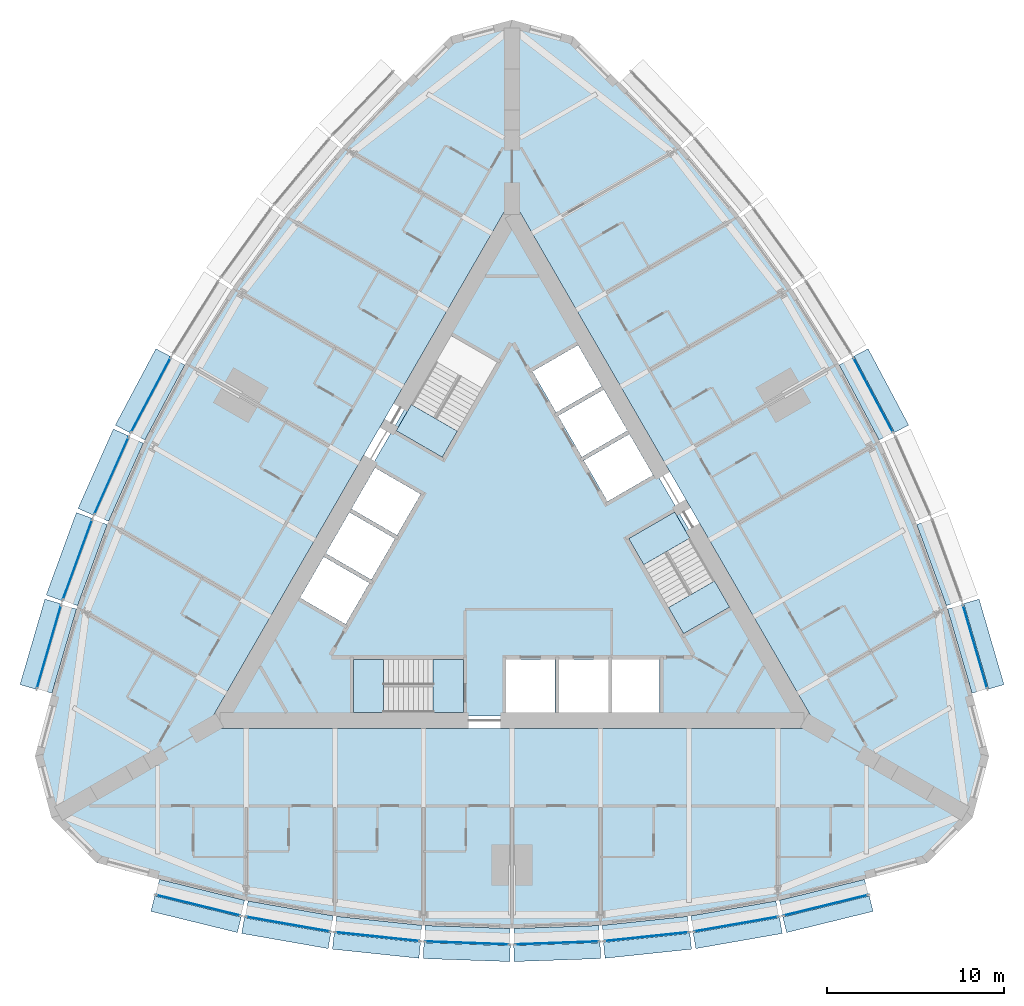
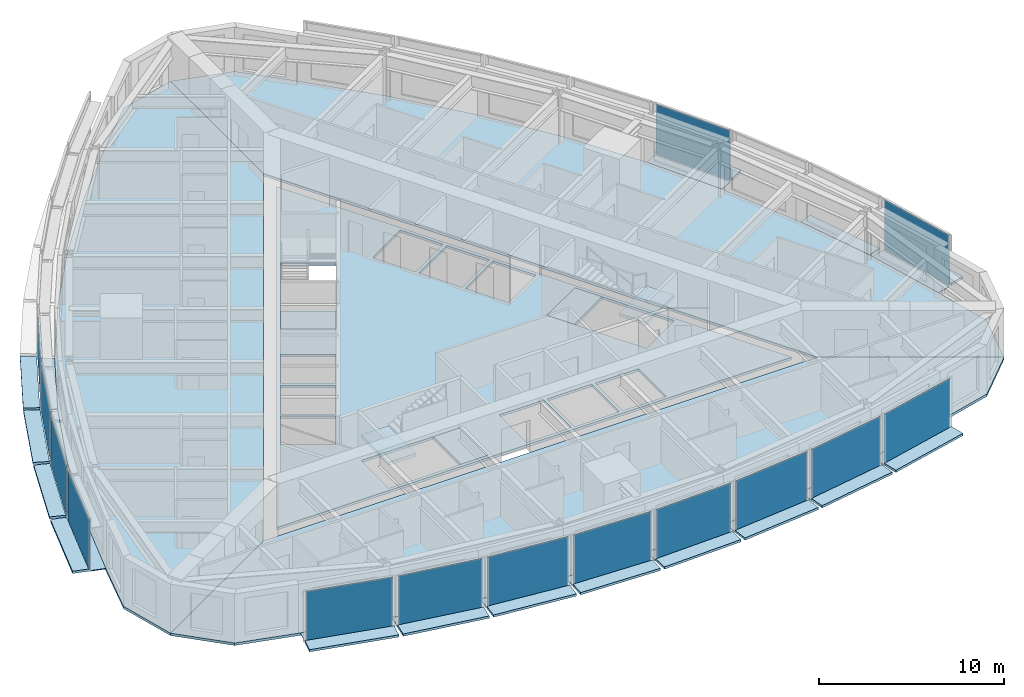
# One storey, part 6 of 14: 43 plates, 9 slabs, 17 elements without a shape of their own.
"""IFC4 building model written with IfcOpenShell, lengths in metres."""

from ifc_helpers import new_model, si_unit, direction, frame, origin, origin_2d, place, context, subcontext, project, spatial, polyline, rectangle, outline, extrude, material, layer, layer_set, type_object, element, aggregate, save


model = new_model("IFC4")

# Units and contexts
model_context = context("Model", 3, precision=1e-05, world=origin(), true_north=direction((0.0, 1.0)))
body_context = subcontext(model_context, "Body", "Model", "MODEL_VIEW")
ifc_project = project(units=[si_unit("LENGTHUNIT", "METRE"), si_unit("AREAUNIT", "SQUARE_METRE"), si_unit("VOLUMEUNIT", "CUBIC_METRE"), si_unit("PLANEANGLEUNIT", "RADIAN"), si_unit("MASSUNIT", "GRAM", prefix="KILO")], contexts=[model_context])

# Site, building, storey
site_placement = place(None, origin())
site = spatial("IfcSite", under=ifc_project, at=site_placement, CompositionType="ELEMENT")
building_placement = place(site_placement, origin())
building = spatial("IfcBuilding", under=site, at=building_placement, Name="Trikona Tower", CompositionType="ELEMENT")
storey_placement = place(building_placement, frame((0.0, 0.0, 121.5)))
storey = spatial("IfcBuildingStorey", under=building, at=storey_placement, Name="L31", CompositionType="ELEMENT", Elevation=121.5)

# Plates
ifc_material_1 = material(Name="Aluminium bar grating", Category="aluminium")
ifc_layer_1 = layer(ifc_material_1, 0.050048828125)
ifc_layer_set_1 = layer_set([ifc_layer_1], Name="Cavity catwalk grating")
plate_type_1 = type_object("IfcPlateType", Name="Cavity catwalk grating", PredefinedType="USERDEFINED", material=ifc_layer_set_1)
plate_1_placement = place(storey_placement, frame((-17.598876953125, -19.49072265625, -0.0498046875), z_axis=(0.0, 0.0, 1.0), x_axis=(0.971274411564, -0.237962218516, 0.0)))
element("IfcPlate", 1, at=plate_1_placement, inside=storey, type_object=plate_type_1, Name="Cavity catwalk L31-00", ObjectType="CATWALK GRATING", PredefinedType="USERDEFINED", context=body_context, shape_type="SweptSolid", body=[
    extrude(rectangle(XDim=4.947998046875, YDim=0.830078125, at=origin_2d()), origin(), (0.0, 0.0, 1.0), 0.050048828125),
])
plate_2_placement = place(storey_placement, frame((-12.571533203125, -20.54638671875, -0.0498046875), z_axis=(0.0, 0.0, 1.0), x_axis=(0.985030604067, -0.172379549401, 0.0)))
element("IfcPlate", 2, at=plate_2_placement, inside=storey, type_object=plate_type_1, Name="Cavity catwalk L31-01", ObjectType="CATWALK GRATING", PredefinedType="USERDEFINED", context=body_context, shape_type="SweptSolid", body=[
    extrude(rectangle(XDim=4.8759765625, YDim=0.830078125, at=origin_2d()), origin(), (0.0, 0.0, 1.0), 0.050048828125),
])
plate_3_placement = place(storey_placement, frame((-7.543212890625, -21.25048828125, -0.0498046875), z_axis=(0.0, 0.0, 1.0), x_axis=(0.994532653854, -0.104426052392, 0.0)))
element("IfcPlate", 3, at=plate_3_placement, inside=storey, type_object=plate_type_1, Name="Cavity catwalk L31-02", ObjectType="CATWALK GRATING", PredefinedType="USERDEFINED", context=body_context, shape_type="SweptSolid", body=[
    extrude(rectangle(XDim=4.827392578125, YDim=0.830078125, at=origin_2d()), origin(), (0.0, 0.0, 1.0), 0.050048828125),
])
for number, where, z_axis, x_axis, name in (
    (4, (-2.514404296875, -21.602294921875, -0.0498046875), (0.0, 0.0, 1.0), (0.999388082937, -0.034977988567, 0.0), "Cavity catwalk L31-03"),
    (5, (2.514404296875, -21.602294921875, -0.0498046875), (0.0, 0.0, 1.0), (0.999388082937, 0.034977988567, 0.0), "Cavity catwalk L31-04"),
):
    element("IfcPlate", number, at=place(storey_placement, frame(where, z_axis=z_axis, x_axis=x_axis)), inside=storey, type_object=plate_type_1, Name=name, ObjectType="CATWALK GRATING", PredefinedType="USERDEFINED", context=body_context, shape_type="SweptSolid", body=[
        extrude(rectangle(XDim=4.802978515625, YDim=0.830078125, at=origin_2d()), origin(), (0.0, 0.0, 1.0), 0.050048828125),
    ])
plate_4_placement = place(storey_placement, frame((7.543212890625, -21.25048828125, -0.0498046875), z_axis=(0.0, 0.0, 1.0), x_axis=(0.994532653854, 0.104426052392, 0.0)))
element("IfcPlate", 6, at=plate_4_placement, inside=storey, type_object=plate_type_1, Name="Cavity catwalk L31-05", ObjectType="CATWALK GRATING", PredefinedType="USERDEFINED", context=body_context, shape_type="SweptSolid", body=[
    extrude(rectangle(XDim=4.827392578125, YDim=0.830078125, at=origin_2d()), origin(), (0.0, 0.0, 1.0), 0.050048828125),
])
plate_5_placement = place(storey_placement, frame((12.571533203125, -20.54638671875, -0.0498046875), z_axis=(0.0, 0.0, 1.0), x_axis=(0.985030604067, 0.172379549401, 0.0)))
element("IfcPlate", 7, at=plate_5_placement, inside=storey, type_object=plate_type_1, Name="Cavity catwalk L31-06", ObjectType="CATWALK GRATING", PredefinedType="USERDEFINED", context=body_context, shape_type="SweptSolid", body=[
    extrude(rectangle(XDim=4.8759765625, YDim=0.830078125, at=origin_2d()), origin(), (0.0, 0.0, 1.0), 0.050048828125),
])
plate_6_placement = place(storey_placement, frame((17.598876953125, -19.49072265625, -0.0498046875), z_axis=(0.0, 0.0, 1.0), x_axis=(0.971274411564, 0.237962218516, 0.0)))
element("IfcPlate", 8, at=plate_6_placement, inside=storey, type_object=plate_type_1, Name="Cavity catwalk L31-07", ObjectType="CATWALK GRATING", PredefinedType="USERDEFINED", context=body_context, shape_type="SweptSolid", body=[
    extrude(rectangle(XDim=4.947998046875, YDim=0.830078125, at=origin_2d()), origin(), (0.0, 0.0, 1.0), 0.050048828125),
])
plate_7_placement = place(storey_placement, frame((25.678955078125, -5.49560546875, -0.0498046875), z_axis=(0.0, 0.0, 1.0), x_axis=(-0.279554203664, 0.960129911634, 0.0)))
element("IfcPlate", 9, at=plate_7_placement, inside=storey, type_object=plate_type_1, Name="Cavity catwalk L31-12", ObjectType="CATWALK GRATING", PredefinedType="USERDEFINED", context=body_context, shape_type="SweptSolid", body=[
    extrude(rectangle(XDim=4.94775390625, YDim=0.830078125, at=origin_2d()), origin(), (0.0, 0.0, 1.0), 0.050048828125),
])
plate_8_placement = place(storey_placement, frame((24.07958984375, -0.614013671875, -0.0498046875), z_axis=(0.0, 0.0, 1.0), x_axis=(-0.343220397324, 0.939254895575, 0.0)))
element("IfcPlate", 10, at=plate_8_placement, inside=storey, type_object=plate_type_1, Name="Cavity catwalk L31-13", ObjectType="CATWALK GRATING", PredefinedType="USERDEFINED", context=body_context, shape_type="SweptSolid", body=[
    extrude(rectangle(XDim=4.8759765625, YDim=0.830078125, at=origin_2d()), origin(), (0.0, 0.0, 1.0), 0.050048828125),
])
for number, where, z_axis, x_axis, name in (
    (11, (19.965576171875, 8.62353515625, -0.0498046875), (0.0, 0.0, 1.0), (-0.469397591494, 0.882986920118, 0.0), "Cavity catwalk L31-15"),
    (12, (-19.965576171875, 8.62353515625, -0.0498046875), (0.0, 0.0, 1.0), (-0.469397591494, -0.882986920118, 0.0), "Cavity catwalk L31-28"),
):
    element("IfcPlate", number, at=place(storey_placement, frame(where, z_axis=z_axis, x_axis=x_axis)), inside=storey, type_object=plate_type_1, Name=name, ObjectType="CATWALK GRATING", PredefinedType="USERDEFINED", context=body_context, shape_type="SweptSolid", body=[
        extrude(rectangle(XDim=4.802978515625, YDim=0.830078125, at=origin_2d()), origin(), (0.0, 0.0, 1.0), 0.050048828125),
    ])
plate_9_placement = place(storey_placement, frame((-22.175048828125, 4.092529296875, -0.0498046875), z_axis=(0.0, 0.0, 1.0), x_axis=(-0.406843467615, -0.913497888809, 0.0)))
element("IfcPlate", 13, at=plate_9_placement, inside=storey, type_object=plate_type_1, Name="Cavity catwalk L31-29", ObjectType="CATWALK GRATING", PredefinedType="USERDEFINED", context=body_context, shape_type="SweptSolid", body=[
    extrude(rectangle(XDim=4.827392578125, YDim=0.830078125, at=origin_2d()), origin(), (0.0, 0.0, 1.0), 0.050048828125),
])
plate_10_placement = place(storey_placement, frame((-24.07958984375, -0.614013671875, -0.0498046875), z_axis=(0.0, 0.0, 1.0), x_axis=(-0.343220397324, -0.939254895575, 0.0)))
element("IfcPlate", 14, at=plate_10_placement, inside=storey, type_object=plate_type_1, Name="Cavity catwalk L31-30", ObjectType="CATWALK GRATING", PredefinedType="USERDEFINED", context=body_context, shape_type="SweptSolid", body=[
    extrude(rectangle(XDim=4.8759765625, YDim=0.830078125, at=origin_2d()), origin(), (0.0, 0.0, 1.0), 0.050048828125),
])
plate_11_placement = place(storey_placement, frame((-25.678955078125, -5.49560546875, -0.0498046875), z_axis=(0.0, 0.0, 1.0), x_axis=(-0.279554203664, -0.960129911634, 0.0)))
element("IfcPlate", 15, at=plate_11_placement, inside=storey, type_object=plate_type_1, Name="Cavity catwalk L31-31", ObjectType="CATWALK GRATING", PredefinedType="USERDEFINED", context=body_context, shape_type="SweptSolid", body=[
    extrude(rectangle(XDim=4.94775390625, YDim=0.830078125, at=origin_2d()), origin(), (0.0, 0.0, 1.0), 0.050048828125),
])

# Slabs
ifc_material_2 = material(Name="Concrete f'c 5000 psi lightweight on composite steel deck", Category="concrete")
ifc_layer_2 = layer(ifc_material_2, 0.1650390625)
ifc_layer_set_2 = layer_set([ifc_layer_2], Name="Composite floor slab 165")
slab_type_1 = type_object("IfcSlabType", Name="Composite floor slab 165", PredefinedType="FLOOR", material=ifc_layer_set_2)
slab_1_placement = place(storey_placement, frame((0.0, 0.0, -0.1650390625)))
element("IfcSlab", 16, at=slab_1_placement, inside=storey, type_object=slab_type_1, Name="Floor slab L31 core", PredefinedType="FLOOR", context=body_context, shape_type="SweptSolid", body=[
    extrude(outline(polyline([(-16.06689453125, -9.2763671875), (16.06689453125, -9.2763671875), (0.0, 18.552490234375), (-16.06689453125, -9.2763671875)]), holes=[polyline([(12.285400390625, -3.126220703125), (9.185302734375, 2.2431640625), (6.587158203125, 0.7431640625), (9.687255859375, -4.626220703125), (12.285400390625, -3.126220703125)]), polyline([(8.340087890625, -9.06640625), (8.340087890625, -6.086181640625), (5.659912109375, -6.086181640625), (5.659912109375, -9.06640625), (8.340087890625, -9.06640625)]), polyline([(5.390869140625, 2.835205078125), (7.9716796875, 4.3251953125), (6.631591796875, 6.646240234375), (4.05078125, 5.15625), (5.390869140625, 2.835205078125)]), polyline([(2.600830078125, 7.667724609375), (3.94091796875, 5.3466796875), (6.521484375, 6.8369140625), (5.181640625, 9.15771484375), (2.600830078125, 7.667724609375)]), polyline([(5.43994140625, -6.086181640625), (2.659912109375, -6.086181640625), (2.659912109375, -9.06640625), (5.43994140625, -9.06640625), (5.43994140625, -6.086181640625)]), polyline([(3.731689453125, 11.669189453125), (1.15087890625, 10.17919921875), (2.490966796875, 7.858154296875), (5.071533203125, 9.34814453125), (3.731689453125, 11.669189453125)]), polyline([(-0.340087890625, -6.086181640625), (-0.340087890625, -9.06640625), (2.43994140625, -9.06640625), (2.43994140625, -6.086181640625), (-0.340087890625, -6.086181640625)]), polyline([(-3.435302734375, 12.202392578125), (-6.535400390625, 6.8330078125), (-3.937255859375, 5.3330078125), (-0.837158203125, 10.702392578125), (-3.435302734375, 12.202392578125)]), polyline([(-8.949951171875, -9.076416015625), (-2.75, -9.076416015625), (-2.75, -6.076416015625), (-8.949951171875, -6.076416015625), (-8.949951171875, -9.076416015625)]), polyline([(-5.15087890625, 3.2509765625), (-7.731689453125, 4.740966796875), (-9.071533203125, 2.419921875), (-6.490966796875, 0.929931640625), (-5.15087890625, 3.2509765625)]), polyline([(-7.94091796875, -1.581298828125), (-6.600830078125, 0.739501953125), (-9.181640625, 2.2294921875), (-10.521484375, -0.09130859375), (-7.94091796875, -1.581298828125)]), polyline([(-11.9716796875, -2.602783203125), (-9.390869140625, -4.093017578125), (-8.05078125, -1.77197265625), (-10.631591796875, -0.281982421875), (-11.9716796875, -2.602783203125)])]), origin(), (0.0, 0.0, 1.0), 0.1650390625),
])
slab_2_placement = place(storey_placement, frame((0.0, 0.0, -0.1650390625)))
element("IfcSlab", 17, at=slab_2_placement, inside=storey, type_object=slab_type_1, Name="Floor slab L31 south", PredefinedType="FLOOR", context=body_context, shape_type="SweptSolid", body=[
    extrude(outline(polyline([(23.464111328125, -17.547119140625), (26.0, -15.010986328125), (17.279296875, -9.976318359375), (-17.279296875, -9.976318359375), (-26.0, -15.010986328125), (-23.464111328125, -17.547119140625), (-20.0, -18.47509765625), (-15.0, -19.7001953125), (-10.0, -20.5751953125), (-5.0, -21.10009765625), (0.0, -21.275146484375), (5.0, -21.10009765625), (10.0, -20.5751953125), (15.0, -19.7001953125), (20.0, -18.47509765625), (23.464111328125, -17.547119140625)])), origin(), (0.0, 0.0, 1.0), 0.1650390625),
])
slab_3_placement = place(storey_placement, frame((0.0, 0.0, -0.1650390625)))
element("IfcSlab", 18, at=slab_3_placement, inside=storey, type_object=slab_type_1, Name="Floor slab L31 north-east", PredefinedType="FLOOR", context=body_context, shape_type="SweptSolid", body=[
    extrude(outline(polyline([(3.464111328125, 29.093994140625), (0.0, 30.022216796875), (0.0, 19.95263671875), (17.279296875, -9.976318359375), (26.0, -15.010986328125), (26.92822265625, -11.547119140625), (26.0, -8.0830078125), (24.560791015625, -3.140380859375), (22.818603515625, 1.62744140625), (20.773193359375, 6.219970703125), (18.4248046875, 10.6376953125), (15.773193359375, 14.880126953125), (12.818603515625, 18.947998046875), (9.560791015625, 22.840576171875), (6.0, 26.55810546875), (3.464111328125, 29.093994140625)])), origin(), (0.0, 0.0, 1.0), 0.1650390625),
])
slab_4_placement = place(storey_placement, frame((0.0, 0.0, -0.1650390625)))
element("IfcSlab", 19, at=slab_4_placement, inside=storey, type_object=slab_type_1, Name="Floor slab L31 north-west", PredefinedType="FLOOR", context=body_context, shape_type="SweptSolid", body=[
    extrude(outline(polyline([(0.0, 19.95263671875), (0.0, 30.022216796875), (-3.464111328125, 29.093994140625), (-6.0, 26.55810546875), (-9.560791015625, 22.840576171875), (-12.818603515625, 18.947998046875), (-15.773193359375, 14.880126953125), (-18.4248046875, 10.6376953125), (-20.773193359375, 6.219970703125), (-22.818603515625, 1.62744140625), (-24.560791015625, -3.140380859375), (-26.0, -8.0830078125), (-26.92822265625, -11.547119140625), (-26.0, -15.010986328125), (-17.279296875, -9.976318359375), (0.0, 19.95263671875)])), origin(), (0.0, 0.0, 1.0), 0.1650390625),
])

# Curtain wall, plate
ifc_material_3 = material(Name="Aluminium curtain wall system", Category="aluminium")
curtain_wall_type = type_object("IfcCurtainWallType", Name="Curtain wall DS2", PredefinedType="NOTDEFINED", material=ifc_material_3)
curtain_wall_1_placement = place(storey_placement, origin())
curtain_wall_1 = element("IfcCurtainWall", 20, at=curtain_wall_1_placement, inside=storey, type_object=curtain_wall_type, Name="Curtain wall DS2 L31", PredefinedType="NOTDEFINED")
ifc_material_4 = material(Name="Laminated clear glass", Category="glass")
ifc_layer_3 = layer(ifc_material_4, 0.028076171875)
ifc_layer_set_3 = layer_set([ifc_layer_3], Name="Glass panel DS2")
plate_type_2 = type_object("IfcPlateType", Name="Glass panel DS2", PredefinedType="CURTAIN_PANEL", material=ifc_layer_set_3)
plate_12_placement = place(storey_placement, frame((-17.714111328125, -19.9619140625, 0.0), z_axis=(0.0, 0.0, 1.0), x_axis=(0.971272455026, -0.237970204243, 0.0)))
plate_12 = element("IfcPlate", 21, at=plate_12_placement, type_object=plate_type_2, Name="CW-DS2 panel 1.1", PredefinedType="CURTAIN_PANEL", context=body_context, shape_type="SweptSolid", body=[
    extrude(rectangle(XDim=4.867919921875, YDim=0.028076171875, at=origin_2d()), origin(), (0.0, 0.0, 1.0), 3.320068359375),
])
aggregate(curtain_wall_1, [plate_12])

curtain_wall_2_placement = place(storey_placement, origin())
curtain_wall_2 = element("IfcCurtainWall", 22, at=curtain_wall_2_placement, inside=storey, type_object=curtain_wall_type, Name="Curtain wall DS2 L31", PredefinedType="NOTDEFINED")
plate_13_placement = place(storey_placement, frame((-12.655029296875, -21.024169921875, 0.0), z_axis=(0.0, 0.0, 1.0), x_axis=(0.985030981074, -0.17237739505, 0.0)))
plate_13 = element("IfcPlate", 23, at=plate_13_placement, type_object=plate_type_2, Name="CW-DS2 panel 1.1", PredefinedType="CURTAIN_PANEL", context=body_context, shape_type="SweptSolid", body=[
    extrude(rectangle(XDim=4.7958984375, YDim=0.028076171875, at=origin_2d()), origin(), (0.0, 0.0, 1.0), 3.320068359375),
])
aggregate(curtain_wall_2, [plate_13])

curtain_wall_3_placement = place(storey_placement, origin())
curtain_wall_3 = element("IfcCurtainWall", 24, at=curtain_wall_3_placement, inside=storey, type_object=curtain_wall_type, Name="Curtain wall DS2 L31", PredefinedType="NOTDEFINED")
plate_14_placement = place(storey_placement, frame((-7.593994140625, -21.732666015625, 0.0), z_axis=(0.0, 0.0, 1.0), x_axis=(0.994531883654, -0.104433387357, 0.0)))
plate_14 = element("IfcPlate", 25, at=plate_14_placement, type_object=plate_type_2, Name="CW-DS2 panel 1.1", PredefinedType="CURTAIN_PANEL", context=body_context, shape_type="SweptSolid", body=[
    extrude(rectangle(XDim=4.747314453125, YDim=0.028076171875, at=origin_2d()), origin(), (0.0, 0.0, 1.0), 3.320068359375),
])
aggregate(curtain_wall_3, [plate_14])

curtain_wall_4_placement = place(storey_placement, origin())
curtain_wall_4 = element("IfcCurtainWall", 26, at=curtain_wall_4_placement, inside=storey, type_object=curtain_wall_type, Name="Curtain wall DS2 L31", PredefinedType="NOTDEFINED")
plate_15_placement = place(storey_placement, frame((-2.531494140625, -22.087158203125, 0.0), z_axis=(0.0, 0.0, 1.0), x_axis=(0.99938737114, -0.034998320052, 0.0)))
plate_15 = element("IfcPlate", 27, at=plate_15_placement, type_object=plate_type_2, Name="CW-DS2 panel 1.1", PredefinedType="CURTAIN_PANEL", context=body_context, shape_type="SweptSolid", body=[
    extrude(rectangle(XDim=4.72314453125, YDim=0.028076171875, at=origin_2d()), origin(), (0.0, 0.0, 1.0), 3.320068359375),
])
aggregate(curtain_wall_4, [plate_15])

curtain_wall_5_placement = place(storey_placement, origin())
curtain_wall_5 = element("IfcCurtainWall", 28, at=curtain_wall_5_placement, inside=storey, type_object=curtain_wall_type, Name="Curtain wall DS2 L31", PredefinedType="NOTDEFINED")
plate_16_placement = place(storey_placement, frame((2.531494140625, -22.087158203125, 0.0), z_axis=(0.0, 0.0, 1.0), x_axis=(0.99938737114, 0.034998320052, 0.0)))
plate_16 = element("IfcPlate", 29, at=plate_16_placement, type_object=plate_type_2, Name="CW-DS2 panel 1.1", PredefinedType="CURTAIN_PANEL", context=body_context, shape_type="SweptSolid", body=[
    extrude(rectangle(XDim=4.72314453125, YDim=0.028076171875, at=origin_2d()), origin(), (0.0, 0.0, 1.0), 3.320068359375),
])
aggregate(curtain_wall_5, [plate_16])

curtain_wall_6_placement = place(storey_placement, origin())
curtain_wall_6 = element("IfcCurtainWall", 30, at=curtain_wall_6_placement, inside=storey, type_object=curtain_wall_type, Name="Curtain wall DS2 L31", PredefinedType="NOTDEFINED")
plate_17_placement = place(storey_placement, frame((7.593994140625, -21.732666015625, 0.0), z_axis=(0.0, 0.0, 1.0), x_axis=(0.994531883654, 0.104433387357, 0.0)))
plate_17 = element("IfcPlate", 31, at=plate_17_placement, type_object=plate_type_2, Name="CW-DS2 panel 1.1", PredefinedType="CURTAIN_PANEL", context=body_context, shape_type="SweptSolid", body=[
    extrude(rectangle(XDim=4.747314453125, YDim=0.028076171875, at=origin_2d()), origin(), (0.0, 0.0, 1.0), 3.320068359375),
])
aggregate(curtain_wall_6, [plate_17])

curtain_wall_7_placement = place(storey_placement, origin())
curtain_wall_7 = element("IfcCurtainWall", 32, at=curtain_wall_7_placement, inside=storey, type_object=curtain_wall_type, Name="Curtain wall DS2 L31", PredefinedType="NOTDEFINED")
plate_18_placement = place(storey_placement, frame((12.655029296875, -21.024169921875, 0.0), z_axis=(0.0, 0.0, 1.0), x_axis=(0.985030981074, 0.17237739505, 0.0)))
plate_18 = element("IfcPlate", 33, at=plate_18_placement, type_object=plate_type_2, Name="CW-DS2 panel 1.1", PredefinedType="CURTAIN_PANEL", context=body_context, shape_type="SweptSolid", body=[
    extrude(rectangle(XDim=4.7958984375, YDim=0.028076171875, at=origin_2d()), origin(), (0.0, 0.0, 1.0), 3.320068359375),
])
aggregate(curtain_wall_7, [plate_18])

curtain_wall_8_placement = place(storey_placement, origin())
curtain_wall_8 = element("IfcCurtainWall", 34, at=curtain_wall_8_placement, inside=storey, type_object=curtain_wall_type, Name="Curtain wall DS2 L31", PredefinedType="NOTDEFINED")
plate_19_placement = place(storey_placement, frame((17.714111328125, -19.9619140625, 0.0), z_axis=(0.0, 0.0, 1.0), x_axis=(0.971272455026, 0.237970204243, 0.0)))
plate_19 = element("IfcPlate", 35, at=plate_19_placement, type_object=plate_type_2, Name="CW-DS2 panel 1.1", PredefinedType="CURTAIN_PANEL", context=body_context, shape_type="SweptSolid", body=[
    extrude(rectangle(XDim=4.867919921875, YDim=0.028076171875, at=origin_2d()), origin(), (0.0, 0.0, 1.0), 3.320068359375),
])
aggregate(curtain_wall_8, [plate_19])

curtain_wall_9_placement = place(storey_placement, origin())
curtain_wall_9 = element("IfcCurtainWall", 36, at=curtain_wall_9_placement, inside=storey, type_object=curtain_wall_type, Name="Curtain wall DS2 L31", PredefinedType="NOTDEFINED")
plate_20_placement = place(storey_placement, frame((26.14453125, -5.360107421875, 0.0), z_axis=(0.0, 0.0, 1.0), x_axis=(-0.279543247757, 0.96013310152, 0.0)))
plate_20 = element("IfcPlate", 37, at=plate_20_placement, type_object=plate_type_2, Name="CW-DS2 panel 1.1", PredefinedType="CURTAIN_PANEL", context=body_context, shape_type="SweptSolid", body=[
    extrude(rectangle(XDim=4.867919921875, YDim=0.028076171875, at=origin_2d()), origin(), (0.0, 0.0, 1.0), 3.320068359375),
])
aggregate(curtain_wall_9, [plate_20])

curtain_wall_10_placement = place(storey_placement, origin())
curtain_wall_10 = element("IfcCurtainWall", 38, at=curtain_wall_10_placement, inside=storey, type_object=curtain_wall_type, Name="Curtain wall DS2 L31", PredefinedType="NOTDEFINED")
plate_21_placement = place(storey_placement, frame((20.393798828125, 8.851318359375, 0.0), z_axis=(0.0, 0.0, 1.0), x_axis=(-0.469380308937, 0.882996107343, 0.0)))
plate_21 = element("IfcPlate", 39, at=plate_21_placement, type_object=plate_type_2, Name="CW-DS2 panel 1.1", PredefinedType="CURTAIN_PANEL", context=body_context, shape_type="SweptSolid", body=[
    extrude(rectangle(XDim=4.72314453125, YDim=0.028076171875, at=origin_2d()), origin(), (0.0, 0.0, 1.0), 3.320068359375),
])
aggregate(curtain_wall_10, [plate_21])

curtain_wall_11_placement = place(storey_placement, origin())
curtain_wall_11 = element("IfcCurtainWall", 40, at=curtain_wall_11_placement, inside=storey, type_object=curtain_wall_type, Name="Curtain wall DS2 L31", PredefinedType="NOTDEFINED")
plate_22_placement = place(storey_placement, frame((-20.393798828125, 8.851318359375, 0.0), z_axis=(0.0, 0.0, 1.0), x_axis=(-0.469380308937, -0.882996107343, 0.0)))
plate_22 = element("IfcPlate", 41, at=plate_22_placement, type_object=plate_type_2, Name="CW-DS2 panel 1.1", PredefinedType="CURTAIN_PANEL", context=body_context, shape_type="SweptSolid", body=[
    extrude(rectangle(XDim=4.72314453125, YDim=0.028076171875, at=origin_2d()), origin(), (0.0, 0.0, 1.0), 3.320068359375),
])
aggregate(curtain_wall_11, [plate_22])

curtain_wall_12_placement = place(storey_placement, origin())
curtain_wall_12 = element("IfcCurtainWall", 42, at=curtain_wall_12_placement, inside=storey, type_object=curtain_wall_type, Name="Curtain wall DS2 L31", PredefinedType="NOTDEFINED")
plate_23_placement = place(storey_placement, frame((-22.6181640625, 4.289794921875, 0.0), z_axis=(0.0, 0.0, 1.0), x_axis=(-0.406836013132, -0.913501208767, 0.0)))
plate_23 = element("IfcPlate", 43, at=plate_23_placement, type_object=plate_type_2, Name="CW-DS2 panel 1.1", PredefinedType="CURTAIN_PANEL", context=body_context, shape_type="SweptSolid", body=[
    extrude(rectangle(XDim=4.747314453125, YDim=0.028076171875, at=origin_2d()), origin(), (0.0, 0.0, 1.0), 3.320068359375),
])
aggregate(curtain_wall_12, [plate_23])

curtain_wall_13_placement = place(storey_placement, origin())
curtain_wall_13 = element("IfcCurtainWall", 44, at=curtain_wall_13_placement, inside=storey, type_object=curtain_wall_type, Name="Curtain wall DS2 L31", PredefinedType="NOTDEFINED")
plate_24_placement = place(storey_placement, frame((-24.53515625, -0.447509765625, 0.0), z_axis=(0.0, 0.0, 1.0), x_axis=(-0.343223420143, -0.939253790978, 0.0)))
plate_24 = element("IfcPlate", 45, at=plate_24_placement, type_object=plate_type_2, Name="CW-DS2 panel 1.1", PredefinedType="CURTAIN_PANEL", context=body_context, shape_type="SweptSolid", body=[
    extrude(rectangle(XDim=4.7958984375, YDim=0.028076171875, at=origin_2d()), origin(), (0.0, 0.0, 1.0), 3.320068359375),
])
aggregate(curtain_wall_13, [plate_24])

curtain_wall_14_placement = place(storey_placement, origin())
curtain_wall_14 = element("IfcCurtainWall", 46, at=curtain_wall_14_placement, inside=storey, type_object=curtain_wall_type, Name="Curtain wall DS2 L31", PredefinedType="NOTDEFINED")
plate_25_placement = place(storey_placement, frame((-26.14453125, -5.360107421875, 0.0), z_axis=(0.0, 0.0, 1.0), x_axis=(-0.279543247757, -0.96013310152, 0.0)))
plate_25 = element("IfcPlate", 47, at=plate_25_placement, type_object=plate_type_2, Name="CW-DS2 panel 1.1", PredefinedType="CURTAIN_PANEL", context=body_context, shape_type="SweptSolid", body=[
    extrude(rectangle(XDim=4.867919921875, YDim=0.028076171875, at=origin_2d()), origin(), (0.0, 0.0, 1.0), 3.320068359375),
])
aggregate(curtain_wall_14, [plate_25])

# Plates
ifc_material_5 = material(Name="Aluminium plate fin, pale anodised, on stainless steel outriggers", Category="steel")
ifc_layer_4 = layer(ifc_material_5, 0.14990234375)
ifc_layer_set_4 = layer_set([ifc_layer_4], Name="Outer skin fin 900")
plate_type_3 = type_object("IfcPlateType", Name="Outer skin fin 900", PredefinedType="USERDEFINED", material=ifc_layer_set_4)
plate_26_placement = place(storey_placement, frame((-17.837890625, -20.466796875, 0.0), z_axis=(0.0, 0.0, 1.0), x_axis=(0.971274411564, -0.237962218516, 0.0)))
element("IfcPlate", 48, at=plate_26_placement, inside=storey, type_object=plate_type_3, Name="Outer skin fin L31-00", ObjectType="FIN", PredefinedType="USERDEFINED", context=body_context, shape_type="SweptSolid", body=[
    extrude(rectangle(XDim=5.02783203125, YDim=0.89990234375, at=origin_2d()), origin(), (0.0, 0.0, 1.0), 0.14990234375),
])
plate_27_placement = place(storey_placement, frame((-12.744873046875, -21.536376953125, 0.0), z_axis=(0.0, 0.0, 1.0), x_axis=(0.985030604067, -0.172379549401, 0.0)))
element("IfcPlate", 49, at=plate_27_placement, inside=storey, type_object=plate_type_3, Name="Outer skin fin L31-01", ObjectType="FIN", PredefinedType="USERDEFINED", context=body_context, shape_type="SweptSolid", body=[
    extrude(rectangle(XDim=4.9560546875, YDim=0.89990234375, at=origin_2d()), origin(), (0.0, 0.0, 1.0), 0.14990234375),
])
plate_28_placement = place(storey_placement, frame((-7.648193359375, -22.25, 0.0), z_axis=(0.0, 0.0, 1.0), x_axis=(0.994532653854, -0.104426052392, 0.0)))
element("IfcPlate", 50, at=plate_28_placement, inside=storey, type_object=plate_type_3, Name="Outer skin fin L31-02", ObjectType="FIN", PredefinedType="USERDEFINED", context=body_context, shape_type="SweptSolid", body=[
    extrude(rectangle(XDim=4.907470703125, YDim=0.89990234375, at=origin_2d()), origin(), (0.0, 0.0, 1.0), 0.14990234375),
])
for number, where, z_axis, x_axis, name in (
    (51, (-2.5498046875, -22.606689453125, 0.0), (0.0, 0.0, 1.0), (0.999388082937, -0.034977988567, 0.0), "Outer skin fin L31-03"),
    (52, (2.5498046875, -22.606689453125, 0.0), (0.0, 0.0, 1.0), (0.999388082937, 0.034977988567, 0.0), "Outer skin fin L31-04"),
):
    element("IfcPlate", number, at=place(storey_placement, frame(where, z_axis=z_axis, x_axis=x_axis)), inside=storey, type_object=plate_type_3, Name=name, ObjectType="FIN", PredefinedType="USERDEFINED", context=body_context, shape_type="SweptSolid", body=[
        extrude(rectangle(XDim=4.883056640625, YDim=0.89990234375, at=origin_2d()), origin(), (0.0, 0.0, 1.0), 0.14990234375),
    ])
plate_29_placement = place(storey_placement, frame((7.648193359375, -22.25, 0.0), z_axis=(0.0, 0.0, 1.0), x_axis=(0.994532653854, 0.104426052392, 0.0)))
element("IfcPlate", 53, at=plate_29_placement, inside=storey, type_object=plate_type_3, Name="Outer skin fin L31-05", ObjectType="FIN", PredefinedType="USERDEFINED", context=body_context, shape_type="SweptSolid", body=[
    extrude(rectangle(XDim=4.907470703125, YDim=0.89990234375, at=origin_2d()), origin(), (0.0, 0.0, 1.0), 0.14990234375),
])
plate_30_placement = place(storey_placement, frame((12.744873046875, -21.536376953125, 0.0), z_axis=(0.0, 0.0, 1.0), x_axis=(0.985030604067, 0.172379549401, 0.0)))
element("IfcPlate", 54, at=plate_30_placement, inside=storey, type_object=plate_type_3, Name="Outer skin fin L31-06", ObjectType="FIN", PredefinedType="USERDEFINED", context=body_context, shape_type="SweptSolid", body=[
    extrude(rectangle(XDim=4.9560546875, YDim=0.89990234375, at=origin_2d()), origin(), (0.0, 0.0, 1.0), 0.14990234375),
])
for number, where, z_axis, x_axis, name in (
    (55, (17.837890625, -20.466796875, 0.0), (0.0, 0.0, 1.0), (0.971274411564, 0.237962218516, 0.0), "Outer skin fin L31-07"),
    (56, (26.643798828125, -5.214599609375, 0.0), (0.0, 0.0, 1.0), (-0.279554203664, 0.960129911634, 0.0), "Outer skin fin L31-12"),
):
    element("IfcPlate", number, at=place(storey_placement, frame(where, z_axis=z_axis, x_axis=x_axis)), inside=storey, type_object=plate_type_3, Name=name, ObjectType="FIN", PredefinedType="USERDEFINED", context=body_context, shape_type="SweptSolid", body=[
        extrude(rectangle(XDim=5.02783203125, YDim=0.89990234375, at=origin_2d()), origin(), (0.0, 0.0, 1.0), 0.14990234375),
    ])
for number, where, z_axis, x_axis, name in (
    (57, (20.852783203125, 9.09521484375, 0.0), (0.0, 0.0, 1.0), (-0.469397591494, 0.882986920118, 0.0), "Outer skin fin L31-15"),
    (58, (-20.852783203125, 9.09521484375, 0.0), (0.0, 0.0, 1.0), (-0.469397591494, -0.882986920118, 0.0), "Outer skin fin L31-28"),
):
    element("IfcPlate", number, at=place(storey_placement, frame(where, z_axis=z_axis, x_axis=x_axis)), inside=storey, type_object=plate_type_3, Name=name, ObjectType="FIN", PredefinedType="USERDEFINED", context=body_context, shape_type="SweptSolid", body=[
        extrude(rectangle(XDim=4.883056640625, YDim=0.89990234375, at=origin_2d()), origin(), (0.0, 0.0, 1.0), 0.14990234375),
    ])
plate_31_placement = place(storey_placement, frame((-23.09326171875, 4.50146484375, 0.0), z_axis=(0.0, 0.0, 1.0), x_axis=(-0.406843467615, -0.913497888809, 0.0)))
element("IfcPlate", 59, at=plate_31_placement, inside=storey, type_object=plate_type_3, Name="Outer skin fin L31-29", ObjectType="FIN", PredefinedType="USERDEFINED", context=body_context, shape_type="SweptSolid", body=[
    extrude(rectangle(XDim=4.907470703125, YDim=0.89990234375, at=origin_2d()), origin(), (0.0, 0.0, 1.0), 0.14990234375),
])
plate_32_placement = place(storey_placement, frame((-25.0234375, -0.26904296875, 0.0), z_axis=(0.0, 0.0, 1.0), x_axis=(-0.343220397324, -0.939254895575, 0.0)))
element("IfcPlate", 60, at=plate_32_placement, inside=storey, type_object=plate_type_3, Name="Outer skin fin L31-30", ObjectType="FIN", PredefinedType="USERDEFINED", context=body_context, shape_type="SweptSolid", body=[
    extrude(rectangle(XDim=4.9560546875, YDim=0.89990234375, at=origin_2d()), origin(), (0.0, 0.0, 1.0), 0.14990234375),
])
plate_33_placement = place(storey_placement, frame((-26.643798828125, -5.214599609375, 0.0), z_axis=(0.0, 0.0, 1.0), x_axis=(-0.279554203664, -0.960129911634, 0.0)))
element("IfcPlate", 61, at=plate_33_placement, inside=storey, type_object=plate_type_3, Name="Outer skin fin L31-31", ObjectType="FIN", PredefinedType="USERDEFINED", context=body_context, shape_type="SweptSolid", body=[
    extrude(rectangle(XDim=5.02783203125, YDim=0.89990234375, at=origin_2d()), origin(), (0.0, 0.0, 1.0), 0.14990234375),
])

# Stair, slabs
ifc_material_6 = material(Name="Concrete f'c 5000 psi", Category="concrete")
stair_type = type_object("IfcStairType", Name="Core stair", PredefinedType="HALF_TURN_STAIR", material=ifc_material_6)
stair_1_placement = place(storey_placement, origin())
stair_1 = element("IfcStair", 62, at=stair_1_placement, inside=storey, type_object=stair_type, Name="Stair A L31", PredefinedType="HALF_TURN_STAIR")
ifc_material_7 = material(Name="Concrete f'c 5000 psi", Category="concrete")
ifc_layer_5 = layer(ifc_material_7, 0.199951171875)
ifc_layer_set_5 = layer_set([ifc_layer_5], Name="Stair landing 200")
slab_type_2 = type_object("IfcSlabType", Name="Stair landing 200", PredefinedType="LANDING", material=ifc_layer_set_5)
slab_5_placement = place(storey_placement, frame((0.0, 0.0, -0.199951171875)))
slab_5 = element("IfcSlab", 63, at=slab_5_placement, type_object=slab_type_2, Name="ST-A landing 1", PredefinedType="LANDING", context=body_context, shape_type="SweptSolid", body=[
    extrude(outline(polyline([(-4.452880859375, -6.076416015625), (-2.75, -6.076416015625), (-2.75, -9.076416015625), (-4.452880859375, -9.076416015625), (-4.452880859375, -6.076416015625)])), origin(), (0.0, 0.0, 1.0), 0.199951171875),
])
slab_6_placement = place(storey_placement, frame((0.0, 0.0, 1.5)))
slab_6 = element("IfcSlab", 64, at=slab_6_placement, type_object=slab_type_2, Name="ST-A landing 2", PredefinedType="LANDING", context=body_context, shape_type="SweptSolid", body=[
    extrude(outline(polyline([(-8.949951171875, -6.076416015625), (-7.2470703125, -6.076416015625), (-7.2470703125, -9.076416015625), (-8.949951171875, -9.076416015625), (-8.949951171875, -6.076416015625)])), origin(), (0.0, 0.0, 1.0), 0.199951171875),
])
aggregate(stair_1, [slab_5, slab_6])

stair_2_placement = place(storey_placement, origin())
stair_2 = element("IfcStair", 65, at=stair_2_placement, inside=storey, type_object=stair_type, Name="Stair B L31", PredefinedType="HALF_TURN_STAIR")
slab_7_placement = place(storey_placement, frame((0.0, 0.0, -0.199951171875)))
slab_7 = element("IfcSlab", 66, at=slab_7_placement, type_object=slab_type_2, Name="ST-B landing 1", PredefinedType="LANDING", context=body_context, shape_type="SweptSolid", body=[
    extrude(outline(polyline([(7.438720703125, -0.731689453125), (6.587158203125, 0.7431640625), (9.185302734375, 2.2431640625), (10.036865234375, 0.768310546875), (7.438720703125, -0.731689453125)])), origin(), (0.0, 0.0, 1.0), 0.199951171875),
])
slab_8_placement = place(storey_placement, frame((0.0, 0.0, 1.5)))
slab_8 = element("IfcSlab", 67, at=slab_8_placement, type_object=slab_type_2, Name="ST-B landing 2", PredefinedType="LANDING", context=body_context, shape_type="SweptSolid", body=[
    extrude(outline(polyline([(9.687255859375, -4.626220703125), (8.835693359375, -3.1513671875), (11.433837890625, -1.6513671875), (12.285400390625, -3.126220703125), (9.687255859375, -4.626220703125)])), origin(), (0.0, 0.0, 1.0), 0.199951171875),
])
aggregate(stair_2, [slab_7, slab_8])

# Stair, slab
stair_3_placement = place(storey_placement, origin())
stair_3 = element("IfcStair", 68, at=stair_3_placement, inside=storey, type_object=stair_type, Name="Stair C L31", PredefinedType="HALF_TURN_STAIR")
slab_9_placement = place(storey_placement, frame((0.0, 0.0, -0.199951171875)))
slab_9 = element("IfcSlab", 69, at=slab_9_placement, type_object=slab_type_2, Name="ST-C landing 1", PredefinedType="LANDING", context=body_context, shape_type="SweptSolid", body=[
    extrude(outline(polyline([(-3.085693359375, 6.807861328125), (-3.937255859375, 5.3330078125), (-6.535400390625, 6.8330078125), (-5.683837890625, 8.307861328125), (-3.085693359375, 6.807861328125)])), origin(), (0.0, 0.0, 1.0), 0.199951171875),
])
aggregate(stair_3, [slab_9])

save(model, "model.ifc")
